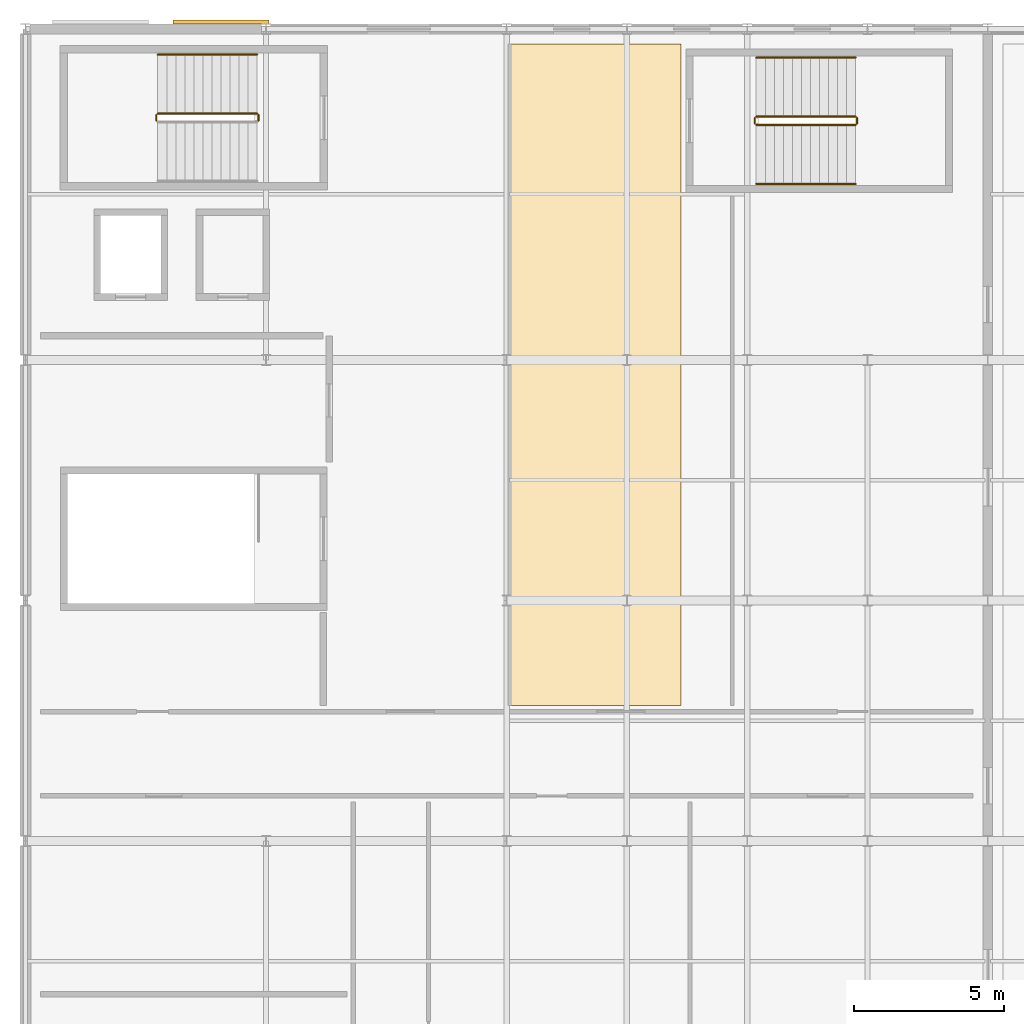
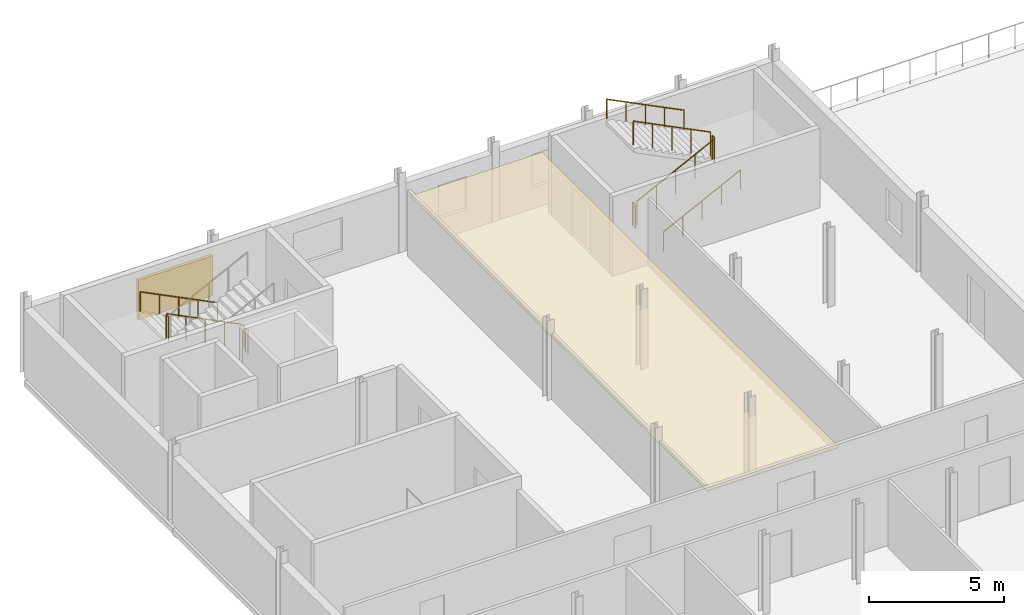
# One storey, part 11 of 11: 10 railings, 1 covering, 1 shading device.
"""IFC4 building model written with IfcOpenShell, lengths in metres."""

from ifc_helpers import new_model, si_unit, derived_unit, direction, frame, origin, origin_2d, place, context, subcontext, project, spatial, polyline, rectangle, circle, outline, extrude, material, layer, layer_set, type_object, element, save


model = new_model("IFC4")

# Units and contexts
model_context = context("Model", 3, precision=1e-05, world=origin(), true_north=direction((0.0, 1.0)))
body_context = subcontext(model_context, "Body", "Model", "MODEL_VIEW")
ifc_project = project(units=[si_unit("LENGTHUNIT", "METRE"), si_unit("AREAUNIT", "SQUARE_METRE"), si_unit("VOLUMEUNIT", "CUBIC_METRE"), si_unit("PLANEANGLEUNIT", "RADIAN"), si_unit("MASSUNIT", "GRAM", prefix="KILO"), derived_unit("THERMALTRANSMITTANCEUNIT", [(si_unit("POWERUNIT", "WATT"), 1), (si_unit("LENGTHUNIT", "METRE"), -2), (si_unit("THERMODYNAMICTEMPERATUREUNIT", "KELVIN"), -1)])], contexts=[model_context])

# Site, building, storey
site_placement = place(None, origin())
site = spatial("IfcSite", under=ifc_project, at=site_placement, CompositionType="ELEMENT")
building_placement = place(site_placement, origin())
building = spatial("IfcBuilding", under=site, at=building_placement, Name="Keldorne Ridge Multi-Sports Centre", CompositionType="ELEMENT")
storey_placement = place(building_placement, frame((0.0, 0.0, 18.60009765625)))
storey = spatial("IfcBuildingStorey", under=building, at=storey_placement, Name="L04", CompositionType="ELEMENT", Elevation=18.60009765625)

# Covering
ifc_material_1 = material(Name="Perforated acoustic mineral ceiling")
ifc_layer = layer(ifc_material_1, 0.0400390625)
ifc_layer_set = layer_set([ifc_layer])
covering_type = type_object("IfcCoveringType", Name="COV-CL-01", PredefinedType="CEILING", material=ifc_layer_set)
covering_placement = place(storey_placement, frame((0.0, 0.0, 2.64990234375)))
element("IfcCovering", 1, at=covering_placement, inside=storey, type_object=covering_type, Name="Warm-Up Hall acoustic ceiling", PredefinedType="CEILING", context=body_context, shape_type="SweptSolid", body=[
    extrude(outline(polyline([(120.14990234375, 94.5), (125.800048828125, 94.5), (125.800048828125, 116.5), (120.14990234375, 116.5), (120.14990234375, 94.5)])), origin(), (0.0, 0.0, 1.0), 0.0400390625),
])

# Railings
ifc_material_2 = material(Name="Laminated glass and stainless steel", Category="steel")
railing_type_1 = type_object("IfcRailingType", Name="RLG-BL-01", PredefinedType="BALUSTRADE", material=ifc_material_2)
railing_1_placement = place(storey_placement, frame((111.699951171875, 114.18994140625, 0.14990234375)))
element("IfcRailing", 2, at=railing_1_placement, inside=storey, type_object=railing_type_1, Name="L04 ST-01 stair guard 1", PredefinedType="BALUSTRADE", context=body_context, shape_type="SweptSolid", body=[
    extrude(circle(Radius=0.02392578125, at=origin_2d()), frame((0.0, 0.0, 1.076171875), z_axis=(-0.894440424912, 0.0, 0.447187126696), x_axis=(0.0, -1.0, 0.0)), (0.0, 0.0, 1.0), 3.689453125),
    extrude(circle(Radius=0.02099609375, at=origin_2d()), origin(), (0.0, 0.0, 1.0), 1.052001953125),
    extrude(circle(Radius=0.02099609375, at=origin_2d()), frame((-0.824951171875, 0.0, 0.41259765625)), (0.0, 0.0, 1.0), 1.052001953125),
    extrude(circle(Radius=0.02099609375, at=origin_2d()), frame((-1.64990234375, 0.0, 0.824951171875)), (0.0, 0.0, 1.0), 1.052001953125),
    extrude(circle(Radius=0.02099609375, at=origin_2d()), frame((-2.47509765625, 0.0, 1.2373046875)), (0.0, 0.0, 1.0), 1.052001953125),
    extrude(circle(Radius=0.02099609375, at=origin_2d()), frame((-3.300048828125, 0.0, 1.64990234375)), (0.0, 0.0, 1.0), 1.052001953125),
])
for number, where, name in (
    (3, (108.35009765625, 114.139892578125, 1.7998046875), "L04 ST-01 stair guard 2"),
    (4, (111.75, 114.139892578125, 0.0), "L04 ST-01 stair guard 4"),
):
    element("IfcRailing", number, at=place(storey_placement, frame(where)), inside=storey, type_object=railing_type_1, Name=name, PredefinedType="BALUSTRADE", context=body_context, shape_type="SweptSolid", body=[
        extrude(circle(Radius=0.02392578125, at=origin_2d()), frame((0.0, 0.0, 1.076171875), z_axis=(0.0, -1.0, 0.0), x_axis=(1.0, 0.0, 0.0)), (0.0, 0.0, 1.0), 0.179931640625),
        extrude(circle(Radius=0.02099609375, at=origin_2d()), origin(), (0.0, 0.0, 1.0), 1.052001953125),
        extrude(circle(Radius=0.02099609375, at=origin_2d()), frame((0.0, -0.179931640625, 0.0)), (0.0, 0.0, 1.0), 1.052001953125),
    ])
railing_2_placement = place(storey_placement, frame((128.300048828125, 113.81005859375, 0.14990234375)))
element("IfcRailing", 5, at=railing_2_placement, inside=storey, type_object=railing_type_1, Name="L04 ST-10 stair guard 1", PredefinedType="BALUSTRADE", context=body_context, shape_type="SweptSolid", body=[
    extrude(circle(Radius=0.02392578125, at=origin_2d()), frame((0.0, 0.0, 1.076171875), z_axis=(0.894440424912, 0.0, 0.447187126696), x_axis=(0.0, 1.0, 0.0)), (0.0, 0.0, 1.0), 3.689453125),
    extrude(circle(Radius=0.02099609375, at=origin_2d()), origin(), (0.0, 0.0, 1.0), 1.052001953125),
    extrude(circle(Radius=0.02099609375, at=origin_2d()), frame((0.824951171875, 0.0, 0.41259765625)), (0.0, 0.0, 1.0), 1.052001953125),
    extrude(circle(Radius=0.02099609375, at=origin_2d()), frame((1.64990234375, 0.0, 0.824951171875)), (0.0, 0.0, 1.0), 1.052001953125),
    extrude(circle(Radius=0.02099609375, at=origin_2d()), frame((2.47509765625, 0.0, 1.2373046875)), (0.0, 0.0, 1.0), 1.052001953125),
    extrude(circle(Radius=0.02099609375, at=origin_2d()), frame((3.300048828125, 0.0, 1.64990234375)), (0.0, 0.0, 1.0), 1.052001953125),
])
railing_3_placement = place(storey_placement, frame((131.64990234375, 113.860107421875, 1.7998046875)))
element("IfcRailing", 6, at=railing_3_placement, inside=storey, type_object=railing_type_1, Name="L04 ST-10 stair guard 2", PredefinedType="BALUSTRADE", context=body_context, shape_type="SweptSolid", body=[
    extrude(circle(Radius=0.02392578125, at=origin_2d()), frame((0.0, 0.0, 1.076171875), z_axis=(0.0, 1.0, 0.0), x_axis=(-1.0, 0.0, 0.0)), (0.0, 0.0, 1.0), 0.179931640625),
    extrude(circle(Radius=0.02099609375, at=origin_2d()), origin(), (0.0, 0.0, 1.0), 1.052001953125),
    extrude(circle(Radius=0.02099609375, at=origin_2d()), frame((0.0, 0.179931640625, 0.0)), (0.0, 0.0, 1.0), 1.052001953125),
])
railing_4_placement = place(storey_placement, frame((131.60009765625, 114.090087890625, 1.949951171875)))
element("IfcRailing", 7, at=railing_4_placement, inside=storey, type_object=railing_type_1, Name="L04 ST-10 stair guard 3", PredefinedType="BALUSTRADE", context=body_context, shape_type="SweptSolid", body=[
    extrude(circle(Radius=0.02392578125, at=origin_2d()), frame((0.0, 0.0, 1.076171875), z_axis=(-0.894440424912, 0.0, 0.447187126696), x_axis=(0.0, -1.0, 0.0)), (0.0, 0.0, 1.0), 3.689453125),
    extrude(circle(Radius=0.02099609375, at=origin_2d()), origin(), (0.0, 0.0, 1.0), 1.052001953125),
    extrude(circle(Radius=0.02099609375, at=origin_2d()), frame((-0.824951171875, 0.0, 0.41259765625)), (0.0, 0.0, 1.0), 1.052001953125),
    extrude(circle(Radius=0.02099609375, at=origin_2d()), frame((-1.64990234375, 0.0, 0.824951171875)), (0.0, 0.0, 1.0), 1.052001953125),
    extrude(circle(Radius=0.02099609375, at=origin_2d()), frame((-2.47509765625, 0.0, 1.2373046875)), (0.0, 0.0, 1.0), 1.052001953125),
    extrude(circle(Radius=0.02099609375, at=origin_2d()), frame((-3.300048828125, 0.0, 1.64990234375)), (0.0, 0.0, 1.0), 1.052001953125),
])
railing_5_placement = place(storey_placement, frame((128.25, 113.860107421875, 0.0)))
element("IfcRailing", 8, at=railing_5_placement, inside=storey, type_object=railing_type_1, Name="L04 ST-10 stair guard 4", PredefinedType="BALUSTRADE", context=body_context, shape_type="SweptSolid", body=[
    extrude(circle(Radius=0.02392578125, at=origin_2d()), frame((0.0, 0.0, 1.076171875), z_axis=(0.0, 1.0, 0.0), x_axis=(-1.0, 0.0, 0.0)), (0.0, 0.0, 1.0), 0.179931640625),
    extrude(circle(Radius=0.02099609375, at=origin_2d()), origin(), (0.0, 0.0, 1.0), 1.052001953125),
    extrude(circle(Radius=0.02099609375, at=origin_2d()), frame((0.0, 0.179931640625, 0.0)), (0.0, 0.0, 1.0), 1.052001953125),
])
ifc_material_3 = material(Name="Stainless steel", Category="steel")
railing_type_2 = type_object("IfcRailingType", Name="RLG-HR-01", PredefinedType="HANDRAIL", material=ifc_material_3)
railing_6_placement = place(storey_placement, frame((111.699951171875, 116.14990234375, 0.14990234375)))
element("IfcRailing", 9, at=railing_6_placement, inside=storey, type_object=railing_type_2, Name="L04 ST-01 stair handrail 1", PredefinedType="HANDRAIL", context=body_context, shape_type="SweptSolid", body=[
    extrude(circle(Radius=0.02392578125, at=origin_2d()), frame((0.0, 0.0, 0.8759765625), z_axis=(-0.894440424912, 0.0, 0.447187126696), x_axis=(0.0, -1.0, 0.0)), (0.0, 0.0, 1.0), 3.689453125),
    extrude(circle(Radius=0.02099609375, at=origin_2d()), origin(), (0.0, 0.0, 1.0), 0.851806640625),
    extrude(circle(Radius=0.02099609375, at=origin_2d()), frame((-0.824951171875, 0.0, 0.41259765625)), (0.0, 0.0, 1.0), 0.851806640625),
    extrude(circle(Radius=0.02099609375, at=origin_2d()), frame((-1.64990234375, 0.0, 0.824951171875)), (0.0, 0.0, 1.0), 0.851806640625),
    extrude(circle(Radius=0.02099609375, at=origin_2d()), frame((-2.47509765625, 0.0, 1.2373046875)), (0.0, 0.0, 1.0), 0.851806640625),
    extrude(circle(Radius=0.02099609375, at=origin_2d()), frame((-3.300048828125, 0.0, 1.64990234375)), (0.0, 0.0, 1.0), 0.851806640625),
])
railing_7_placement = place(storey_placement, frame((128.300048828125, 111.85009765625, 0.14990234375)))
element("IfcRailing", 10, at=railing_7_placement, inside=storey, type_object=railing_type_2, Name="L04 ST-10 stair handrail 1", PredefinedType="HANDRAIL", context=body_context, shape_type="SweptSolid", body=[
    extrude(circle(Radius=0.02392578125, at=origin_2d()), frame((0.0, 0.0, 0.8759765625), z_axis=(0.894440424912, 0.0, 0.447187126696), x_axis=(0.0, 1.0, 0.0)), (0.0, 0.0, 1.0), 3.689453125),
    extrude(circle(Radius=0.02099609375, at=origin_2d()), origin(), (0.0, 0.0, 1.0), 0.851806640625),
    extrude(circle(Radius=0.02099609375, at=origin_2d()), frame((0.824951171875, 0.0, 0.41259765625)), (0.0, 0.0, 1.0), 0.851806640625),
    extrude(circle(Radius=0.02099609375, at=origin_2d()), frame((1.64990234375, 0.0, 0.824951171875)), (0.0, 0.0, 1.0), 0.851806640625),
    extrude(circle(Radius=0.02099609375, at=origin_2d()), frame((2.47509765625, 0.0, 1.2373046875)), (0.0, 0.0, 1.0), 0.851806640625),
    extrude(circle(Radius=0.02099609375, at=origin_2d()), frame((3.300048828125, 0.0, 1.64990234375)), (0.0, 0.0, 1.0), 0.851806640625),
])
railing_8_placement = place(storey_placement, frame((131.60009765625, 116.050048828125, 1.949951171875)))
element("IfcRailing", 11, at=railing_8_placement, inside=storey, type_object=railing_type_2, Name="L04 ST-10 stair handrail 2", PredefinedType="HANDRAIL", context=body_context, shape_type="SweptSolid", body=[
    extrude(circle(Radius=0.02392578125, at=origin_2d()), frame((0.0, 0.0, 0.8759765625), z_axis=(-0.894440424912, 0.0, 0.447187126696), x_axis=(0.0, -1.0, 0.0)), (0.0, 0.0, 1.0), 3.689453125),
    extrude(circle(Radius=0.02099609375, at=origin_2d()), origin(), (0.0, 0.0, 1.0), 0.851806640625),
    extrude(circle(Radius=0.02099609375, at=origin_2d()), frame((-0.824951171875, 0.0, 0.41259765625)), (0.0, 0.0, 1.0), 0.851806640625),
    extrude(circle(Radius=0.02099609375, at=origin_2d()), frame((-1.64990234375, 0.0, 0.824951171875)), (0.0, 0.0, 1.0), 0.851806640625),
    extrude(circle(Radius=0.02099609375, at=origin_2d()), frame((-2.47509765625, 0.0, 1.2373046875)), (0.0, 0.0, 1.0), 0.851806640625),
    extrude(circle(Radius=0.02099609375, at=origin_2d()), frame((-3.300048828125, 0.0, 1.64990234375)), (0.0, 0.0, 1.0), 0.851806640625),
])

# Shading device
ifc_material_4 = material(Name="Anodized aluminium", Category="aluminium")
shading_device_type = type_object("IfcShadingDeviceType", Name="SHD-LV-01", PredefinedType="USERDEFINED", material=ifc_material_4)
shading_device_placement = place(storey_placement, frame((110.5, 117.22998046875, 0.60009765625), z_axis=(0.0, 0.0, 1.0), x_axis=(1.0, 0.0, 0.0)))
element("IfcShadingDevice", 12, at=shading_device_placement, inside=storey, type_object=shading_device_type, Name="Acoustic weather louvre LV-02", ObjectType="LOUVRE", PredefinedType="USERDEFINED", context=body_context, shape_type="SweptSolid", body=[
    extrude(rectangle(XDim=3.199951171875, YDim=0.139892578125, at=origin_2d()), origin(), (0.0, 0.0, 1.0), 1.800048828125),
])

save(model, "model.ifc")
